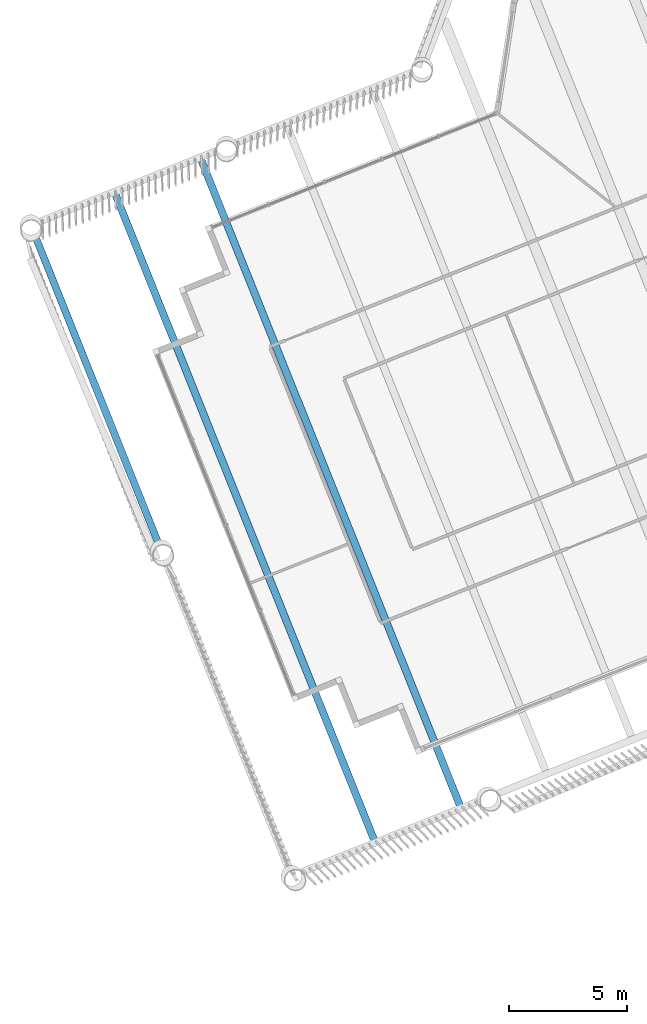
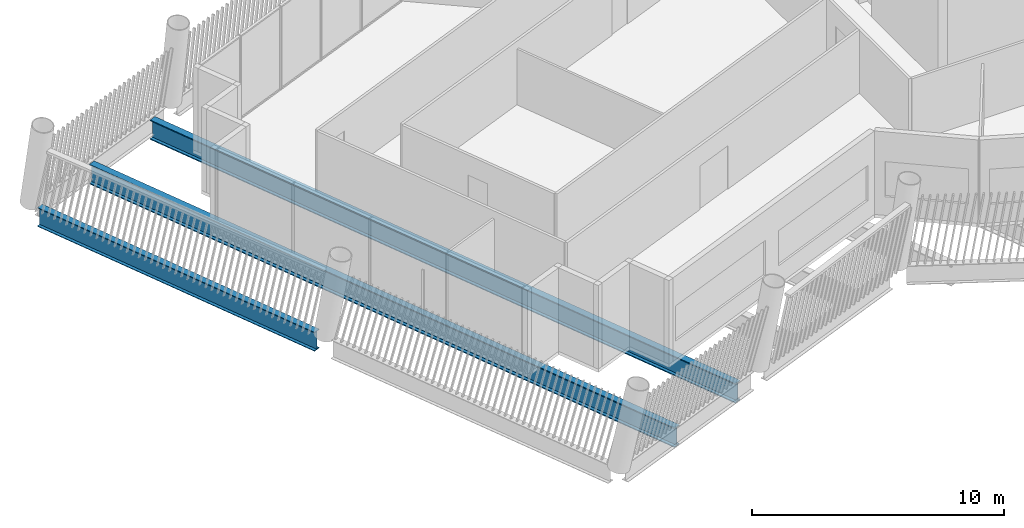
# One storey, part 4 of 27: 3 beams.
"""IFC4 building model written with IfcOpenShell, lengths in metres."""

from ifc_helpers import new_model, si_unit, direction, frame, origin, origin_2d, place, context, subcontext, project, spatial, i_section, extrude, material, material_profile, profile_set, type_object, element, save


model = new_model("IFC4")

# Units and contexts
model_context = context("Model", 3, precision=1e-05, world=origin(), true_north=direction((0.0, 1.0)))
body_context = subcontext(model_context, "Body", "Model", "MODEL_VIEW")
ifc_project = project(units=[si_unit("LENGTHUNIT", "METRE"), si_unit("AREAUNIT", "SQUARE_METRE"), si_unit("VOLUMEUNIT", "CUBIC_METRE"), si_unit("PLANEANGLEUNIT", "RADIAN"), si_unit("MASSUNIT", "GRAM", prefix="KILO")], contexts=[model_context])

# Site, building, storey
site_placement = place(None, origin())
site = spatial("IfcSite", under=ifc_project, at=site_placement, CompositionType="ELEMENT")
building_placement = place(site_placement, origin())
building = spatial("IfcBuilding", under=site, at=building_placement, Name="Tarsis Ring Headquarters", CompositionType="ELEMENT")
storey_placement = place(building_placement, frame((0.0, 0.0, 373.39990234375)))
storey = spatial("IfcBuildingStorey", under=building, at=storey_placement, Name="L88", CompositionType="ELEMENT", Elevation=373.39990234375)

# Beams
ifc_material = material(Name="Structural steel S355", Category="steel")
ifc_material_profile_1 = material_profile(ifc_material, i_section(OverallWidth=0.309814453125, OverallDepth=0.949951171875, WebThickness=0.0244140625, FlangeThickness=0.0439453125, at=origin_2d()), Name="W36x256")
ifc_profile_set_1 = profile_set([ifc_material_profile_1], Name="Structural steel S355")
beam_type_1 = type_object("IfcBeamType", Name="FB Floor beam W36x256", PredefinedType="JOIST", material=ifc_profile_set_1)
for number, where, z_axis, x_axis, name in (
    (1, (-38.067138671875, 0.63134765625, -0.635009765625), (0.372015672229, -0.928226448457, 0.0), (0.928226448457, 0.372015672229, 0.0), "Floor beam FB11"),
    (2, (-41.687255859375, -0.819580078125, -0.635009765625), (0.372015672229, -0.928226448457, 0.0), (0.928226448457, 0.372015672229, 0.0), "Floor beam FB11"),
):
    element("IfcBeam", number, at=place(storey_placement, frame(where, z_axis=z_axis, x_axis=x_axis)), inside=storey, type_object=beam_type_1, Name=name, PredefinedType="JOIST", context=body_context, shape_type="SweptSolid", body=[
        extrude(i_section(OverallWidth=0.309814453125, OverallDepth=0.949951171875, WebThickness=0.0244140625, FlangeThickness=0.0439453125, at=origin_2d()), origin(), (0.0, 0.0, 1.0), 29.4951171875),
    ])
ifc_material_profile_2 = material_profile(ifc_material, i_section(OverallWidth=0.3046875, OverallDepth=0.91943359375, WebThickness=0.017333984375, FlangeThickness=0.02783203125, at=origin_2d()), Name="W36x170")
ifc_profile_set_2 = profile_set([ifc_material_profile_2], Name="Structural steel S355")
beam_type_2 = type_object("IfcBeamType", Name="XG Ring girder W36x170", PredefinedType="BEAM", material=ifc_profile_set_2)
beam_placement = place(storey_placement, frame((-45.080810546875, -2.56640625, -0.459716796875), z_axis=(0.372017002733, -0.928225915215, 0.0), x_axis=(0.928225915215, 0.372017002733, 0.0)))
element("IfcBeam", 3, at=beam_placement, inside=storey, type_object=beam_type_2, Name="Ring girder XG4", PredefinedType="BEAM", context=body_context, shape_type="SweptSolid", body=[
    extrude(i_section(OverallWidth=0.3046875, OverallDepth=0.91943359375, WebThickness=0.017333984375, FlangeThickness=0.02783203125, at=origin_2d()), origin(), (0.0, 0.0, 1.0), 13.97705078125),
])

save(model, "model.ifc")
